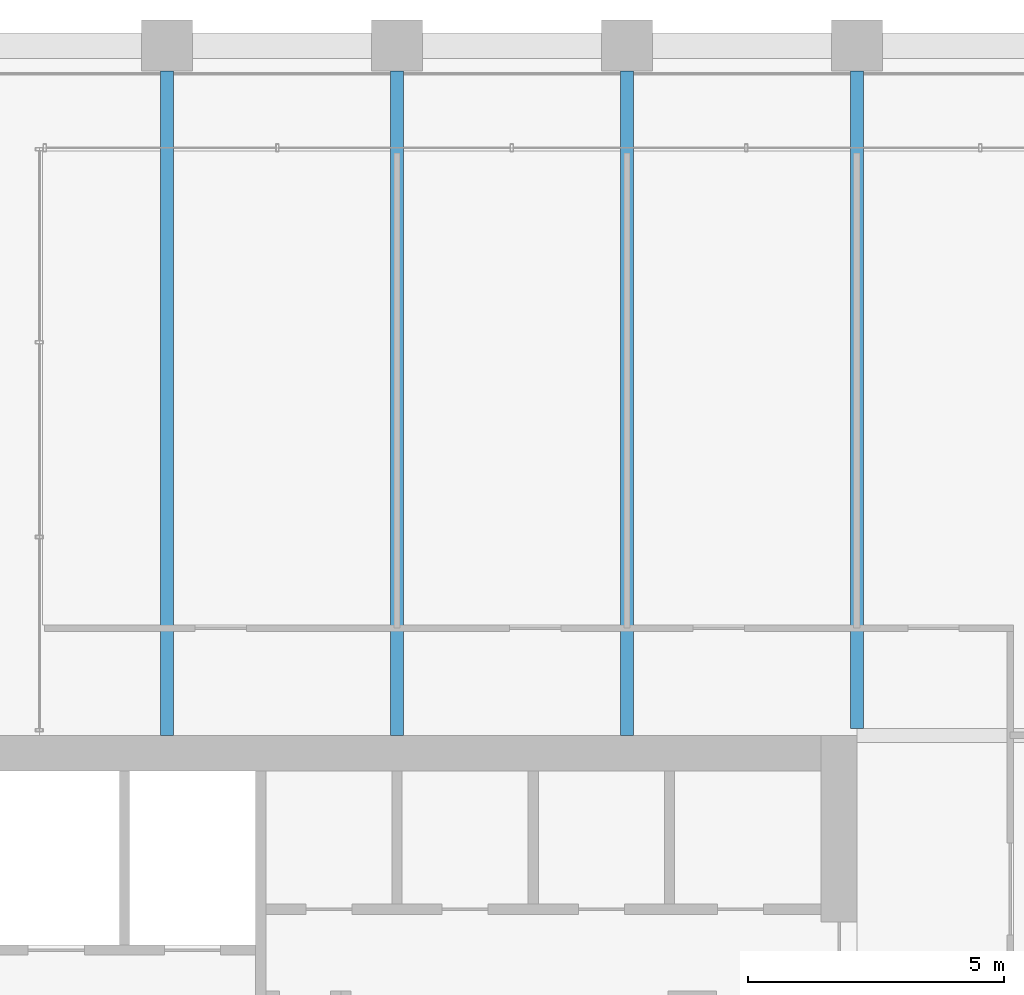
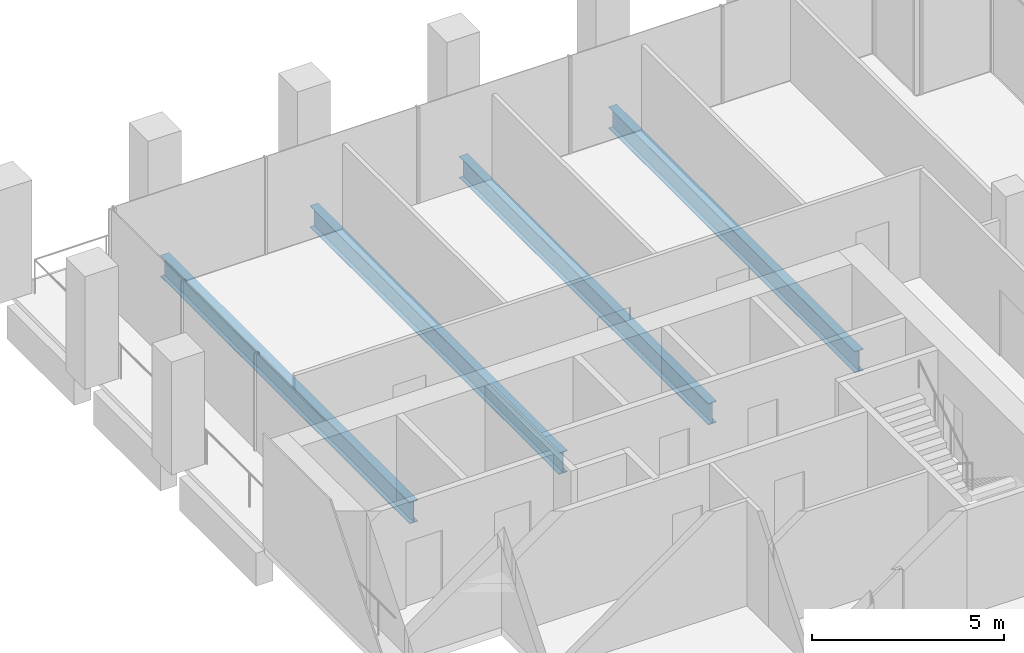
# One storey, part 22 of 46: 4 beams.
"""IFC4 building model written with IfcOpenShell, lengths in metres."""

from ifc_helpers import new_model, si_unit, direction, frame, origin, origin_2d, place, context, subcontext, project, spatial, i_section, extrude, material, material_profile, profile_set, type_object, element, save


model = new_model("IFC4")

# Units and contexts
model_context = context("Model", 3, precision=1e-05, world=origin(), true_north=direction((0.0, 1.0)))
body_context = subcontext(model_context, "Body", "Model", "MODEL_VIEW")
ifc_project = project(units=[si_unit("LENGTHUNIT", "METRE"), si_unit("AREAUNIT", "SQUARE_METRE"), si_unit("VOLUMEUNIT", "CUBIC_METRE"), si_unit("PLANEANGLEUNIT", "RADIAN"), si_unit("MASSUNIT", "GRAM", prefix="KILO")], contexts=[model_context])

# Site, building, storey
site_placement = place(None, origin())
site = spatial("IfcSite", under=ifc_project, at=site_placement, CompositionType="ELEMENT")
building_placement = place(site_placement, origin())
building = spatial("IfcBuilding", under=site, at=building_placement, Name="Altepetl Exchange Towers", CompositionType="ELEMENT")
storey_placement = place(building_placement, frame((0.0, 0.0, 120.800048828125)))
storey = spatial("IfcBuildingStorey", under=building, at=storey_placement, Name="L29", CompositionType="ELEMENT", Elevation=120.800048828125)

# Beams
ifc_material = material(Name="Steel S355", Category="steel")
ifc_material_profile = material_profile(ifc_material, i_section(OverallWidth=0.25390625, OverallDepth=0.68408203125, WebThickness=0.012451171875, FlangeThickness=0.018798828125, at=origin_2d()), Name="W27X94")
ifc_profile_set = profile_set([ifc_material_profile], Name="Steel S355")
beam_type = type_object("IfcBeamType", Name="Floor beam W27X94", PredefinedType="BEAM", material=ifc_profile_set)
for number, where, z_axis, x_axis, name in (
    (1, (45.0, 58.5, -0.491943359375), (0.0, 1.0, 0.0), (-1.0, 0.0, 0.0), "bm:A:L29:000"),
    (2, (49.5, 58.5, -0.491943359375), (0.0, 1.0, 0.0), (-1.0, 0.0, 0.0), "bm:A:L29:001"),
    (3, (54.0, 58.5, -0.491943359375), (0.0, 1.0, 0.0), (-1.0, 0.0, 0.0), "bm:A:L29:002"),
):
    element("IfcBeam", number, at=place(storey_placement, frame(where, z_axis=z_axis, x_axis=x_axis)), inside=storey, type_object=beam_type, Name=name, PredefinedType="BEAM", context=body_context, shape_type="SweptSolid", body=[
        extrude(i_section(OverallWidth=0.25390625, OverallDepth=0.68408203125, WebThickness=0.012451171875, FlangeThickness=0.018798828125, at=origin_2d()), origin(), (0.0, 0.0, 1.0), 13.0),
    ])
beam_placement = place(storey_placement, frame((58.5, 58.634033203125, -0.491943359375), z_axis=(0.0, 1.0, 0.0), x_axis=(-1.0, 0.0, 0.0)))
element("IfcBeam", 4, at=beam_placement, inside=storey, type_object=beam_type, Name="bm:A:L29:003", PredefinedType="BEAM", context=body_context, shape_type="SweptSolid", body=[
    extrude(i_section(OverallWidth=0.25390625, OverallDepth=0.68408203125, WebThickness=0.012451171875, FlangeThickness=0.018798828125, at=origin_2d()), origin(), (0.0, 0.0, 1.0), 12.865966796875),
])

save(model, "model.ifc")
